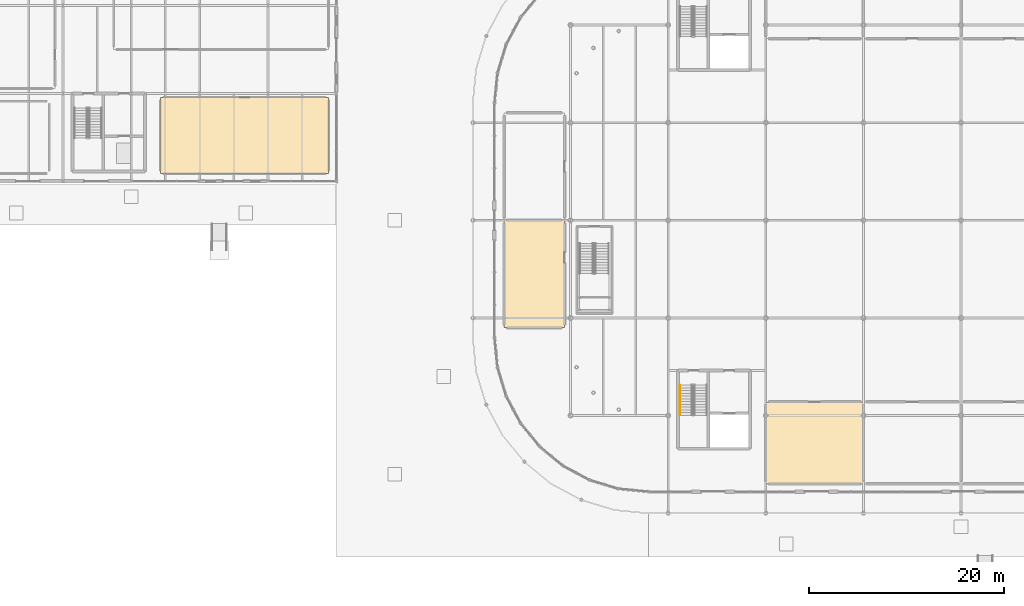
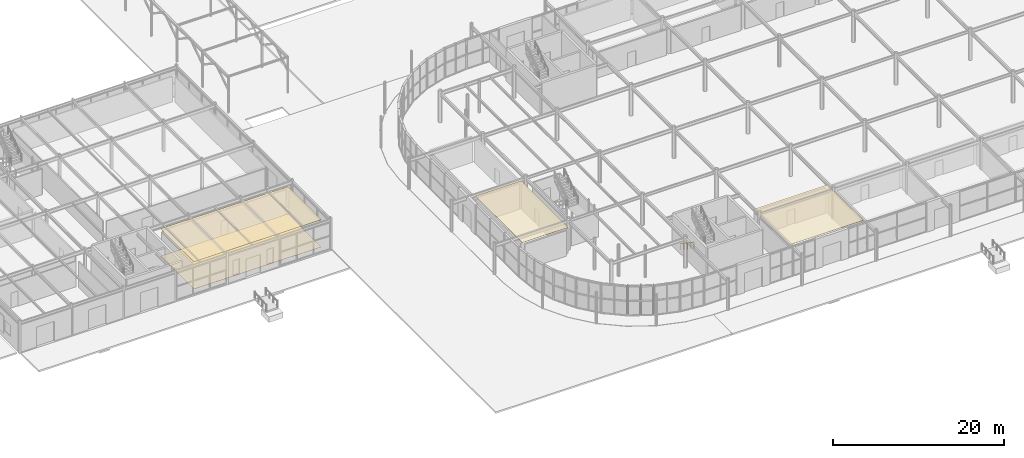
# One storey, part 104 of 119: 4 coverings, 1 railing.
"""IFC4 building model written with IfcOpenShell, lengths in metres."""

from ifc_helpers import new_model, si_unit, derived_unit, direction, frame, origin, origin_2d_with_axis, place, context, subcontext, project, spatial, polyline, circle, outline, extrude, material, layer, layer_set, type_object, element, save


model = new_model("IFC4")

# Units and contexts
model_context = context("Model", 3, precision=1e-05, world=origin(), true_north=direction((0.0, 1.0)))
body_context = subcontext(model_context, "Body", "Model", "MODEL_VIEW")
ifc_project = project(units=[si_unit("LENGTHUNIT", "METRE"), si_unit("AREAUNIT", "SQUARE_METRE"), si_unit("VOLUMEUNIT", "CUBIC_METRE"), si_unit("PLANEANGLEUNIT", "RADIAN"), si_unit("MASSUNIT", "GRAM", prefix="KILO"), derived_unit("THERMALTRANSMITTANCEUNIT", [(si_unit("POWERUNIT", "WATT"), 1), (si_unit("LENGTHUNIT", "METRE"), -2), (si_unit("THERMODYNAMICTEMPERATUREUNIT", "KELVIN"), -1)])], contexts=[model_context])

# Site, building, storey
site_placement = place(None, origin())
site = spatial("IfcSite", under=ifc_project, at=site_placement, CompositionType="ELEMENT")
building_placement = place(site_placement, origin())
building = spatial("IfcBuilding", under=site, at=building_placement, Name="Cinnabar Yard Market Hall", CompositionType="ELEMENT")
storey_placement = place(building_placement, origin())
storey = spatial("IfcBuildingStorey", under=building, at=storey_placement, Name="L00", CompositionType="ELEMENT", Elevation=0.0)

# Coverings
ifc_material_1 = material(Name="Perforated acoustic spotted-gum timber slats", Category="wood")
ifc_layer_1 = layer(ifc_material_1, 0.0400390625)
ifc_layer_set_1 = layer_set([ifc_layer_1], Name="Perforated acoustic spotted-gum timber slats")
covering_type_1 = type_object("IfcCoveringType", Name="COV-CLG1", PredefinedType="CEILING", material=ifc_layer_set_1)
covering_1_placement = place(storey_placement, frame((0.0, 0.0, 3.8798828125)))
element("IfcCovering", 1, at=covering_1_placement, inside=storey, type_object=covering_type_1, Name="Ceiling Fresh Produce Stall 01", PredefinedType="CEILING", context=body_context, shape_type="SweptSolid", body=[
    extrude(outline(polyline([(96.0, 17.0), (106.0, 17.0), (106.0, 25.39990234375), (96.0, 25.39990234375), (96.0, 17.0)])), origin(), (0.0, 0.0, 1.0), 0.03515625),
])
covering_2_placement = place(storey_placement, frame((0.0, 0.0, 3.8798828125)))
element("IfcCovering", 2, at=covering_2_placement, inside=storey, type_object=covering_type_1, Name="Ceiling Smallgoods and Olive Stall 09", PredefinedType="CEILING", context=body_context, shape_type="SweptSolid", body=[
    extrude(outline(polyline([(69.199951171875, 33.0), (75.39990234375, 33.0), (75.39990234375, 44.0), (69.199951171875, 44.0), (69.199951171875, 33.0)])), origin(), (0.0, 0.0, 1.0), 0.03515625),
])
covering_3_placement = place(storey_placement, frame((0.0, 0.0, 3.8798828125)))
element("IfcCovering", 3, at=covering_3_placement, inside=storey, type_object=covering_type_1, Name="Ceiling Charbagh Courtyard Cafe", PredefinedType="CEILING", context=body_context, shape_type="SweptSolid", body=[
    extrude(outline(polyline([(34.0, 48.800048828125), (51.199951171875, 48.800048828125), (51.199951171875, 56.60009765625), (34.0, 56.60009765625), (34.0, 48.800048828125)])), origin(), (0.0, 0.0, 1.0), 0.03515625),
])
ifc_material_2 = material(Name="Honed Adelaide red terrazzo flooring")
ifc_layer_2 = layer(ifc_material_2, 0.030029296875)
ifc_layer_set_2 = layer_set([ifc_layer_2], Name="Honed Adelaide red terrazzo flooring")
covering_type_2 = type_object("IfcCoveringType", Name="COV-FLR1", PredefinedType="FLOORING", material=ifc_layer_set_2)
covering_4_placement = place(storey_placement, origin())
element("IfcCovering", 4, at=covering_4_placement, inside=storey, type_object=covering_type_2, Name="Flooring Charbagh Courtyard Cafe", PredefinedType="FLOORING", context=body_context, shape_type="SweptSolid", body=[
    extrude(outline(polyline([(34.0, 48.800048828125), (51.199951171875, 48.800048828125), (51.199951171875, 56.60009765625), (34.0, 56.60009765625), (34.0, 48.800048828125)])), origin(), (0.0, 0.0, 1.0), 0.02490234375),
])

# Railing
ifc_material_3 = material(Name="Brushed stainless steel handrail", Category="steel")
ifc_layer_3 = layer(ifc_material_3, 0.050048828125)
ifc_layer_set_3 = layer_set([ifc_layer_3], Name="Brushed stainless steel handrail")
railing_type = type_object("IfcRailingType", Name="RL-HR1", PredefinedType="HANDRAIL", material=ifc_layer_set_3)
railing_placement = place(storey_placement, frame((87.18994140625, 27.110107421875, 0.1875)))
element("IfcRailing", 5, at=railing_placement, inside=storey, type_object=railing_type, Name="L00 ST-C1 stair handrail 1", PredefinedType="HANDRAIL", context=body_context, shape_type="SweptSolid", body=[
    extrude(circle(Radius=0.02392578125, at=origin_2d_with_axis()), frame((0.0, 0.0, 0.8759765625), z_axis=(0.0, -0.830913701846, 0.55640131208), x_axis=(1.0, 0.0, 0.0)), (0.0, 0.0, 1.0), 3.706787109375),
    extrude(circle(Radius=0.02099609375, at=origin_2d_with_axis()), origin(), (0.0, 0.0, 1.0), 0.851806640625),
    extrude(circle(Radius=0.02099609375, at=origin_2d_with_axis()), frame((0.0, -0.77001953125, 0.515625)), (0.0, 0.0, 1.0), 0.851806640625),
    extrude(circle(Radius=0.02099609375, at=origin_2d_with_axis()), frame((0.0, -1.5400390625, 1.03125)), (0.0, 0.0, 1.0), 0.851806640625),
    extrude(circle(Radius=0.02099609375, at=origin_2d_with_axis()), frame((0.0, -2.31005859375, 1.546875)), (0.0, 0.0, 1.0), 0.851806640625),
    extrude(circle(Radius=0.02099609375, at=origin_2d_with_axis()), frame((0.0, -3.080078125, 2.0625)), (0.0, 0.0, 1.0), 0.851806640625),
])

save(model, "model.ifc")
